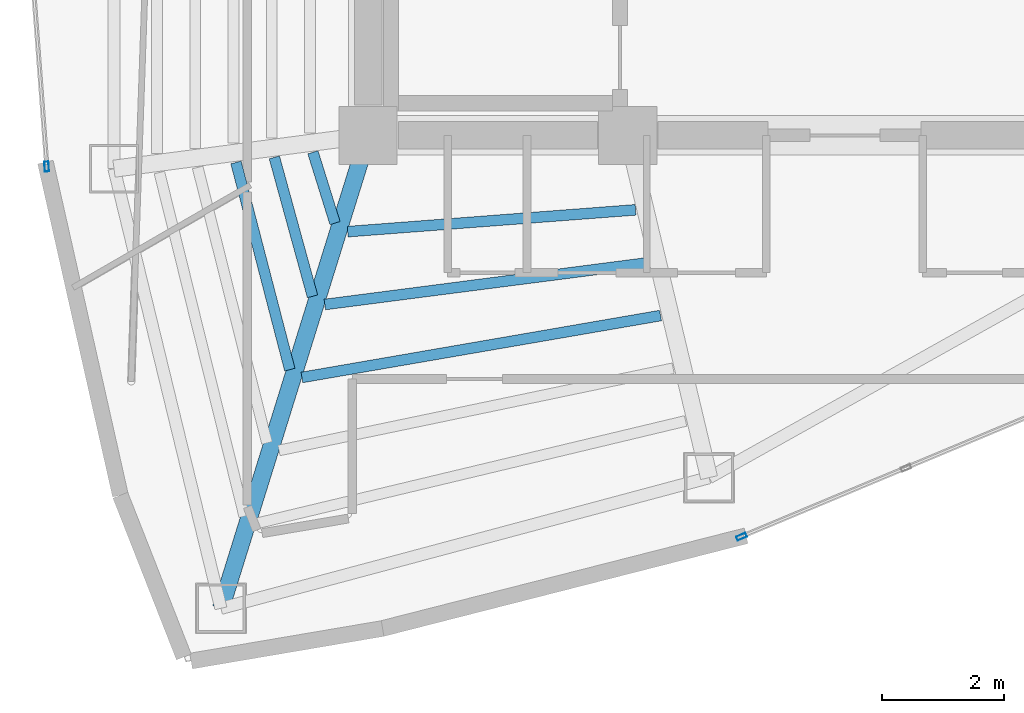
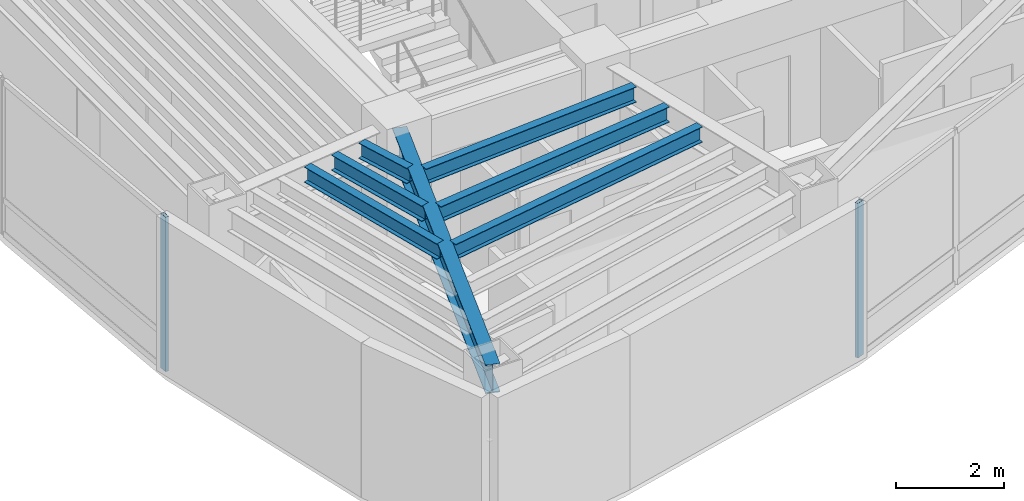
# One storey, part 2 of 16: 7 beams, 2 members, 2 elements without a shape of their own.
"""IFC4 building model written with IfcOpenShell, lengths in metres."""

from ifc_helpers import new_model, si_unit, direction, frame, origin, origin_2d, place, context, subcontext, project, spatial, hollow_rectangle, i_section, extrude, material, layer, layer_set, material_profile, profile_set, type_object, element, aggregate, save


model = new_model("IFC4")

# Units and contexts
model_context = context("Model", 3, precision=1e-05, world=origin(), true_north=direction((0.0, 1.0)))
body_context = subcontext(model_context, "Body", "Model", "MODEL_VIEW")
ifc_project = project(units=[si_unit("LENGTHUNIT", "METRE"), si_unit("AREAUNIT", "SQUARE_METRE"), si_unit("VOLUMEUNIT", "CUBIC_METRE"), si_unit("PLANEANGLEUNIT", "RADIAN"), si_unit("MASSUNIT", "GRAM", prefix="KILO")], contexts=[model_context])

# Site, building, storey
site_placement = place(None, origin())
site = spatial("IfcSite", under=ifc_project, at=site_placement, CompositionType="ELEMENT")
building_placement = place(site_placement, origin())
building = spatial("IfcBuilding", under=site, at=building_placement, Name="Menara Vayukalpa", CompositionType="ELEMENT")
storey_placement = place(building_placement, frame((0.0, 0.0, 273.179931640625)))
storey = spatial("IfcBuildingStorey", under=building, at=storey_placement, Name="L69", CompositionType="ELEMENT", Elevation=273.179931640625)

# Beams
ifc_material_1 = material(Name="Steel S355", Category="steel")
ifc_material_profile_1 = material_profile(ifc_material_1, i_section(OverallWidth=0.280029296875, OverallDepth=0.64990234375, WebThickness=0.012939453125, FlangeThickness=0.02197265625, at=origin_2d()), Name="WF 650x280x13x22")
ifc_profile_set_1 = profile_set([ifc_material_profile_1], Name="Steel S355")
beam_type_1 = type_object("IfcBeamType", Name="BM-PG6", PredefinedType="BEAM", material=ifc_profile_set_1)
beam_1_placement = place(storey_placement, frame((17.7255859375, 16.961181640625, 3.175048828125), z_axis=(-0.297213792842, -0.954810955815, 0.0), x_axis=(0.954810955815, -0.297213792842, 0.0)))
element("IfcBeam", 1, at=beam_1_placement, inside=storey, type_object=beam_type_1, Name="L69 Primary Radial Girder RG07", PredefinedType="BEAM", context=body_context, shape_type="SweptSolid", body=[
    extrude(i_section(OverallWidth=0.280029296875, OverallDepth=0.64990234375, WebThickness=0.012939453125, FlangeThickness=0.02197265625, at=origin_2d()), origin(), (0.0, 0.0, 1.0), 7.861083984375),
])
ifc_material_2 = material(Name="Steel S355", Category="steel")
ifc_material_profile_2 = material_profile(ifc_material_2, i_section(OverallWidth=0.175048828125, OverallDepth=0.35009765625, WebThickness=0.007080078125, FlangeThickness=0.010986328125, at=origin_2d()), Name="WF 350x175x7x11")
ifc_profile_set_2 = profile_set([ifc_material_profile_2], Name="Steel S355")
beam_type_2 = type_object("IfcBeamType", Name="BM-SJ3", PredefinedType="JOIST", material=ifc_profile_set_2)
beam_2_placement = place(storey_placement, frame((16.8955078125, 16.922119140625, 3.324951171875), z_axis=(0.297954442868, -0.954580090917, 0.0), x_axis=(0.954580090917, 0.297954442868, 0.0)))
element("IfcBeam", 2, at=beam_2_placement, inside=storey, type_object=beam_type_2, Name="L69 Secondary Floor Joist SJ06-1", PredefinedType="JOIST", context=body_context, shape_type="SweptSolid", body=[
    extrude(i_section(OverallWidth=0.175048828125, OverallDepth=0.35009765625, WebThickness=0.007080078125, FlangeThickness=0.010986328125, at=origin_2d()), origin(), (0.0, 0.0, 1.0), 1.21435546875),
])
beam_3_placement = place(storey_placement, frame((16.263916015625, 16.83837890625, 3.324951171875), z_axis=(0.264947201585, -0.96426292077, 0.0), x_axis=(0.96426292077, 0.264947201585, 0.0)))
element("IfcBeam", 3, at=beam_3_placement, inside=storey, type_object=beam_type_2, Name="L69 Secondary Floor Joist SJ06-2", PredefinedType="JOIST", context=body_context, shape_type="SweptSolid", body=[
    extrude(i_section(OverallWidth=0.175048828125, OverallDepth=0.35009765625, WebThickness=0.007080078125, FlangeThickness=0.010986328125, at=origin_2d()), origin(), (0.0, 0.0, 1.0), 2.35888671875),
])
beam_4_placement = place(storey_placement, frame((15.6357421875, 16.755615234375, 3.324951171875), z_axis=(0.251457685321, -0.967868292947, 0.0), x_axis=(0.967868292947, 0.251457685321, 0.0)))
element("IfcBeam", 4, at=beam_4_placement, inside=storey, type_object=beam_type_2, Name="L69 Secondary Floor Joist SJ06-3", PredefinedType="JOIST", context=body_context, shape_type="SweptSolid", body=[
    extrude(i_section(OverallWidth=0.175048828125, OverallDepth=0.35009765625, WebThickness=0.007080078125, FlangeThickness=0.010986328125, at=origin_2d()), origin(), (0.0, 0.0, 1.0), 3.5048828125),
])
beam_5_placement = place(storey_placement, frame((17.464599609375, 15.622314453125, 3.324951171875), z_axis=(0.997140447376, 0.075570683512, 0.0), x_axis=(-0.075570683512, 0.997140447376, 0.0)))
element("IfcBeam", 5, at=beam_5_placement, inside=storey, type_object=beam_type_2, Name="L69 Secondary Floor Joist SJ07-1", PredefinedType="JOIST", context=body_context, shape_type="SweptSolid", body=[
    extrude(i_section(OverallWidth=0.175048828125, OverallDepth=0.35009765625, WebThickness=0.007080078125, FlangeThickness=0.010986328125, at=origin_2d()), origin(), (0.0, 0.0, 1.0), 4.726318359375),
])
beam_6_placement = place(storey_placement, frame((17.08984375, 14.4296875, 3.324951171875), z_axis=(0.991761375414, 0.128099079766, 0.0), x_axis=(-0.128099079766, 0.991761375414, 0.0)))
element("IfcBeam", 6, at=beam_6_placement, inside=storey, type_object=beam_type_2, Name="L69 Secondary Floor Joist SJ07-2", PredefinedType="JOIST", context=body_context, shape_type="SweptSolid", body=[
    extrude(i_section(OverallWidth=0.175048828125, OverallDepth=0.35009765625, WebThickness=0.007080078125, FlangeThickness=0.010986328125, at=origin_2d()), origin(), (0.0, 0.0, 1.0), 5.33642578125),
])
beam_7_placement = place(storey_placement, frame((16.715087890625, 13.235595703125, 3.324951171875), z_axis=(0.985438818134, 0.170030396443, 0.0), x_axis=(-0.170030396443, 0.985438818134, 0.0)))
element("IfcBeam", 7, at=beam_7_placement, inside=storey, type_object=beam_type_2, Name="L69 Secondary Floor Joist SJ07-3", PredefinedType="JOIST", context=body_context, shape_type="SweptSolid", body=[
    extrude(i_section(OverallWidth=0.175048828125, OverallDepth=0.35009765625, WebThickness=0.007080078125, FlangeThickness=0.010986328125, at=origin_2d()), origin(), (0.0, 0.0, 1.0), 5.958740234375),
])

# Curtain wall, member
ifc_material_3 = material(Name="Anodised Terracotta Aluminium Alloy 6063-T6", Category="masonry")
ifc_layer = layer(ifc_material_3, 0.1650390625)
ifc_layer_set = layer_set([ifc_layer], Name="Anodised Terracotta Aluminium Alloy 6063-T6")
curtain_wall_type = type_object("IfcCurtainWallType", Name="CW-CW6", PredefinedType="USERDEFINED", material=ifc_layer_set)
curtain_wall_1_placement = place(storey_placement, origin())
curtain_wall_1 = element("IfcCurtainWall", 8, at=curtain_wall_1_placement, inside=storey, type_object=curtain_wall_type, Name="L69 Observation and Executive Curtain Wall CW6 11", ObjectType="UNITISED", PredefinedType="USERDEFINED")
ifc_material_4 = material(Name="Anodised Terracotta Aluminium Alloy 6063-T6", Category="masonry")
ifc_material_profile_3 = material_profile(ifc_material_4, hollow_rectangle(XDim=0.070068359375, YDim=0.1650390625, WallThickness=0.00390625, at=origin_2d()), Name="ALU 70x165x4")
ifc_profile_set_3 = profile_set([ifc_material_profile_3], Name="Anodised Terracotta Aluminium Alloy 6063-T6")
member_type = type_object("IfcMemberType", Name="CWM-CW6", PredefinedType="MULLION", material=ifc_profile_set_3)
member_1_placement = place(storey_placement, frame((12.536376953125, 16.688232421875, 0.0), z_axis=(0.0, 0.0, 1.0), x_axis=(0.997199344663, 0.074789484574, 0.0)))
member_1 = element("IfcMember", 9, at=member_1_placement, type_object=member_type, Name="CW6 mullion 2", PredefinedType="MULLION", context=body_context, shape_type="SweptSolid", body=[
    extrude(hollow_rectangle(XDim=0.070068359375, YDim=0.1650390625, WallThickness=0.00390625, at=origin_2d()), origin(), (0.0, 0.0, 1.0), 3.5),
])
aggregate(curtain_wall_1, [member_1])

curtain_wall_2_placement = place(storey_placement, origin())
curtain_wall_2 = element("IfcCurtainWall", 10, at=curtain_wall_2_placement, inside=storey, type_object=curtain_wall_type, Name="L69 Observation and Executive Curtain Wall CW6 16", ObjectType="UNITISED", PredefinedType="USERDEFINED")
member_2_placement = place(storey_placement, frame((23.913330078125, 10.62841796875, 0.0), z_axis=(0.0, 0.0, 1.0), x_axis=(-0.385899911703, 0.922540653927, 0.0)))
member_2 = element("IfcMember", 11, at=member_2_placement, type_object=member_type, Name="CW6 mullion 1", PredefinedType="MULLION", context=body_context, shape_type="SweptSolid", body=[
    extrude(hollow_rectangle(XDim=0.070068359375, YDim=0.1650390625, WallThickness=0.00390625, at=origin_2d()), origin(), (0.0, 0.0, 1.0), 3.5),
])
aggregate(curtain_wall_2, [member_2])

save(model, "model.ifc")
